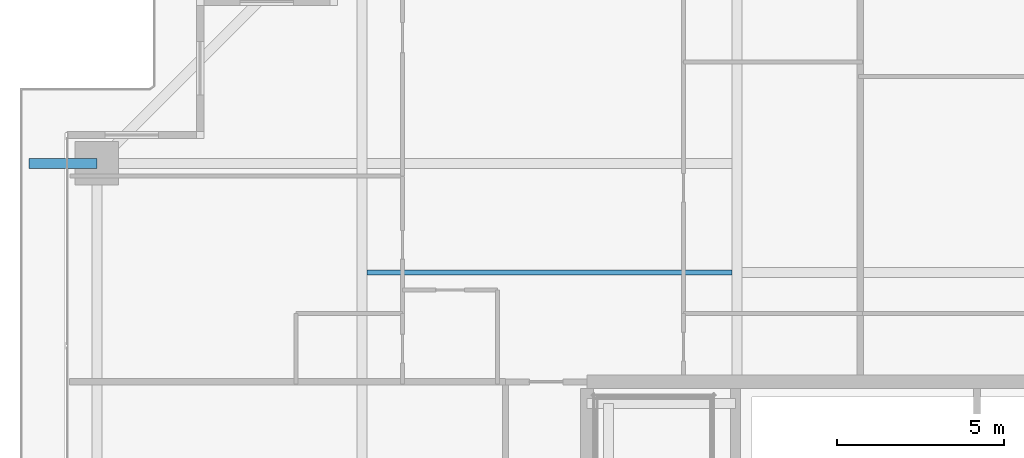
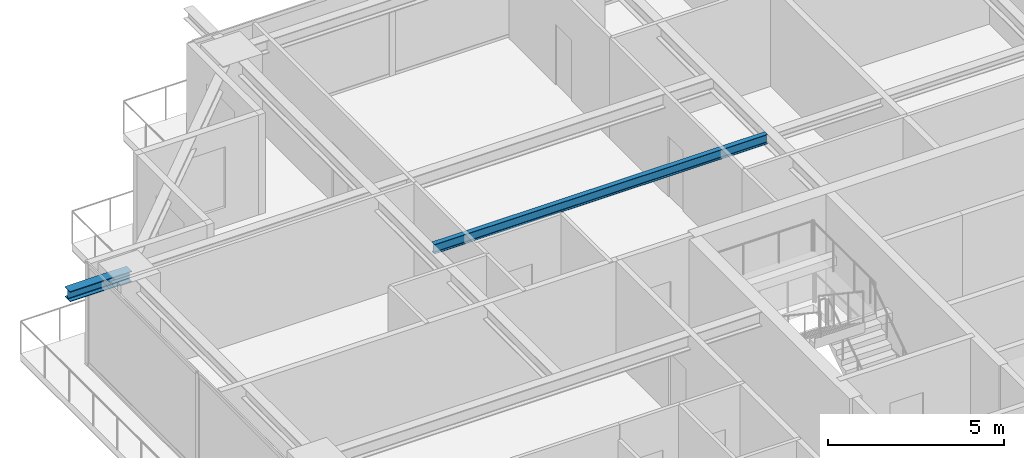
# One storey, part 18 of 37: 2 beams.
"""IFC4 building model written with IfcOpenShell, lengths in metres."""

import ifcopenshell
import ifcopenshell.guid

model = None  # the IFC model being written
_history = None  # IfcOwnerHistory: only IFC2X3 demands one
_inside = {}  # id of a spatial element -> (the spatial element, [elements in it])
_under = {}  # id of a project, library or spatial element -> (it, [spatial elements below it])
_declared = {}  # id of a project -> (the project, [libraries it declares])
_typed = {}  # id of a type object -> (the type object, [elements of that type])
_made_of = {}  # id of a material, layer set ... -> (it, [elements and type objects made of it])


def new_model(schema):
    """Start an empty IFC model of exactly this schema.

    Asked for "IFC4X3", IfcOpenShell would pick the latest addendum, in which some entities
    have other attributes; the version numbers below select the first issue.
    IFC2X3 requires an IfcOwnerHistory on every rooted entity: one is made here for all.
    """
    global model, _history
    if schema == "IFC4X3":
        model = ifcopenshell.file(schema_version=(4, 3, 0, 0))
    else:
        model = ifcopenshell.file(schema=schema)
    _inside.clear()
    _under.clear()
    _declared.clear()
    _typed.clear()
    _made_of.clear()
    _history = None
    if model.schema == "IFC2X3":
        org = make("IfcOrganization", Name="unknown")
        user = make(
            "IfcPersonAndOrganization",
            ThePerson=make("IfcPerson", FamilyName="unknown"),
            TheOrganization=org,
        )
        app = make(
            "IfcApplication",
            ApplicationDeveloper=org,
            Version="unknown",
            ApplicationFullName="unknown",
            ApplicationIdentifier="unknown",
        )
        _history = make(
            "IfcOwnerHistory",
            OwningUser=user,
            OwningApplication=app,
            ChangeAction="ADDED",
            CreationDate=0,
        )
    return model


def make(cls, **values):
    """One entity of the class cls with the attributes given. An attribute that is None is left unset."""
    return model.create_entity(
        cls, **{name: value for name, value in values.items() if value is not None}
    )


def rooted(cls, **values):
    """An entity with a GlobalId (a new one), such as an element, a storey or a relation."""
    return make(cls, GlobalId=ifcopenshell.guid.new(), OwnerHistory=_history, **values)


def si_unit(unit_type, name, prefix=None):
    """IfcSIUnit, for example si_unit("LENGTHUNIT", "METRE", prefix="MILLI")."""
    return make("IfcSIUnit", UnitType=unit_type, Prefix=prefix, Name=name)


def assignment(units):
    """IfcUnitAssignment: the units of a project."""
    return None if units is None else make("IfcUnitAssignment", Units=units)


def point(xyz):
    """IfcCartesianPoint."""
    return None if xyz is None else make("IfcCartesianPoint", Coordinates=xyz)


def direction(xyz):
    """IfcDirection."""
    return None if xyz is None else make("IfcDirection", DirectionRatios=xyz)


def frame(location, z_axis=None, x_axis=None):
    """IfcAxis2Placement3D, a coordinate frame: its origin and axes. An axis left out is left unset."""
    return make(
        "IfcAxis2Placement3D",
        Location=point(location),
        Axis=direction(z_axis),
        RefDirection=direction(x_axis),
    )


def frame_2d(location, x_axis=None):
    """IfcAxis2Placement2D, a coordinate frame in the plane: its origin and x axis."""
    return make(
        "IfcAxis2Placement2D", Location=point(location), RefDirection=direction(x_axis)
    )


def origin():
    """The frame at (0, 0, 0) with its axes left unset."""
    return frame((0.0, 0.0, 0.0))


def origin_2d():
    """The frame at (0, 0) in the plane with its x axis left unset."""
    return frame_2d((0.0, 0.0))


def place(relative_to, where):
    """IfcLocalPlacement: puts the frame where relative to a parent placement (None: the world)."""
    return make(
        "IfcLocalPlacement", PlacementRelTo=relative_to, RelativePlacement=where
    )


def context(
    kind, dimensions, precision=None, world=None, true_north=None, identifier=None
):
    """IfcGeometricRepresentationContext, for example the 3D "Model" context."""
    return make(
        "IfcGeometricRepresentationContext",
        ContextIdentifier=identifier,
        ContextType=kind,
        CoordinateSpaceDimension=dimensions,
        Precision=precision,
        WorldCoordinateSystem=world,
        TrueNorth=true_north,
    )


def subcontext(parent, identifier, kind, view, scale=None):
    """IfcGeometricRepresentationSubContext, for example "Body" below "Model"."""
    return make(
        "IfcGeometricRepresentationSubContext",
        ContextIdentifier=identifier,
        ContextType=kind,
        ParentContext=parent,
        TargetScale=scale,
        TargetView=view,
    )


def project(units=None, contexts=None):
    """IfcProject with its units and contexts."""
    return rooted(
        "IfcProject",
        Name="project",
        RepresentationContexts=contexts,
        UnitsInContext=assignment(units),
    )


def spatial(cls, under=None, at=None, **own):
    """A site, building, storey or space (cls), placed at a placement, below another one or the project."""
    s = rooted(cls, ObjectPlacement=at, **own)
    if under is not None:
        _under.setdefault(under.id(), (under, []))[1].append(s)
    return s


def profile(cls, at=None, kind="AREA", **sizes):
    """A parametric profile (cls). Its sizes go by their IFC names, for example OverallWidth=200.0."""
    return make(cls, ProfileType=kind, Position=at, **sizes)


def i_section(**sizes):
    """IfcIShapeProfileDef."""
    return profile("IfcIShapeProfileDef", **sizes)


def extrude(swept, where, along, depth):
    """IfcExtrudedAreaSolid: the profile swept, set in the frame where, extruded along a direction by depth."""
    return make(
        "IfcExtrudedAreaSolid",
        SweptArea=swept,
        Position=where,
        ExtrudedDirection=direction(along),
        Depth=depth,
    )


def shape(context_of_items, identifier, shape_type, items):
    """IfcShapeRepresentation: the items that make up one representation, for example the "Body"."""
    return make(
        "IfcShapeRepresentation",
        ContextOfItems=context_of_items,
        RepresentationIdentifier=identifier,
        RepresentationType=shape_type,
        Items=items,
    )


def source(mapping_origin, context_of_items, identifier, shape_type, items):
    """IfcRepresentationMap: a shape defined once, which mapped items show again and again."""
    return make(
        "IfcRepresentationMap",
        MappingOrigin=mapping_origin,
        MappedRepresentation=shape(context_of_items, identifier, shape_type, items),
    )


def transform(
    local_origin,
    x_axis=None,
    y_axis=None,
    z_axis=None,
    scale=None,
    scale2=None,
    scale3=None,
    uniform=True,
):
    """IfcCartesianTransformationOperator3D, or its non-uniform kind. x_axis, y_axis, z_axis: its Axis1, 2, 3."""
    if uniform:
        return make(
            "IfcCartesianTransformationOperator3D",
            Axis1=direction(x_axis),
            Axis2=direction(y_axis),
            LocalOrigin=point(local_origin),
            Scale=scale,
            Axis3=direction(z_axis),
        )
    return make(
        "IfcCartesianTransformationOperator3DnonUniform",
        Axis1=direction(x_axis),
        Axis2=direction(y_axis),
        LocalOrigin=point(local_origin),
        Scale=scale,
        Axis3=direction(z_axis),
        Scale2=scale2,
        Scale3=scale3,
    )


def mapped(mapping_source, mapping_target):
    """IfcMappedItem: shows the shape of a source again, moved by a transform."""
    return make(
        "IfcMappedItem", MappingSource=mapping_source, MappingTarget=mapping_target
    )


def material(Name=None, Category=None):
    """IfcMaterial."""
    return make("IfcMaterial", Name=Name, Category=Category)


def material_profile(
    of_material, cross_section, Name=None, Category=None, Priority=None
):
    """IfcMaterialProfile: a cross section and its material."""
    return make(
        "IfcMaterialProfile",
        Name=Name,
        Material=of_material,
        Profile=cross_section,
        Priority=Priority,
        Category=Category,
    )


def profile_set(profiles, Name=None, composite=None):
    """IfcMaterialProfileSet."""
    return make(
        "IfcMaterialProfileSet",
        Name=Name,
        MaterialProfiles=profiles,
        CompositeProfile=composite,
    )


def made_of(thing, what):
    """Note that an element or type object is made of a material, layer set ...; save() writes the relation."""
    if what is not None:
        _made_of.setdefault(what.id(), (what, []))[1].append(thing)
    return thing


def type_object(cls, material=None, **own):
    """A type object (cls), such as IfcWallType, which elements share."""
    return made_of(rooted(cls, **own), material)


def element(
    cls,
    number,
    at=None,
    inside=None,
    cuts=None,
    type_object=None,
    material=None,
    context=None,
    identifier="Body",
    shape_type=None,
    held_by="IfcProductDefinitionShape",
    body=None,
    shapes=None,
    **own,
):
    """One element of the class cls, such as IfcWall. Its Tag is "e" and its number.

    at: its placement. inside: the storey or other place that contains it. cuts: it is an
    opening in that element (IfcRelVoidsElement). A single representation is given by context,
    identifier, shape_type and body (its items); several are given by shapes. held_by: the class
    of the entity that holds the representations. save() writes the other relations.
    """
    e = rooted(cls, Tag="e%d" % number, ObjectPlacement=at, **own)
    if body is not None:
        shapes = [shape(context, identifier, shape_type, body)]
    if shapes is not None:
        e.Representation = make(held_by, Representations=shapes)
    if inside is not None:
        _inside.setdefault(inside.id(), (inside, []))[1].append(e)
    if cuts is not None:
        rooted(
            "IfcRelVoidsElement", RelatingBuildingElement=cuts, RelatedOpeningElement=e
        )
    if type_object is not None:
        _typed.setdefault(type_object.id(), (type_object, []))[1].append(e)
    return made_of(e, material)


def aggregate(whole, parts):
    """IfcRelAggregates: a whole, such as a stair, and the parts it consists of."""
    return rooted("IfcRelAggregates", RelatingObject=whole, RelatedObjects=parts)


def save(model, path):
    """Write the relations noted so far, then the file.

    IfcRelAggregates (storeys below a building ...), IfcRelContainedInSpatialStructure (elements
    in a storey), IfcRelDefinesByType, IfcRelAssociatesMaterial and IfcRelDeclares: one each for
    every whole, place, type object, material and project.
    """
    for whole, parts in _under.values():
        aggregate(whole, parts)
    for where, things in _inside.values():
        rooted(
            "IfcRelContainedInSpatialStructure",
            RelatedElements=things,
            RelatingStructure=where,
        )
    for kind, things in _typed.values():
        rooted("IfcRelDefinesByType", RelatedObjects=things, RelatingType=kind)
    for what, things in _made_of.values():
        rooted("IfcRelAssociatesMaterial", RelatedObjects=things, RelatingMaterial=what)
    for by, libraries in _declared.values():
        rooted("IfcRelDeclares", RelatingContext=by, RelatedDefinitions=libraries)
    model.write(path)


model = new_model("IFC4")

# Units and contexts
model_context = context("Model", 3, precision=1e-05, world=origin(), true_north=direction((0.0, 1.0)))
body_context = subcontext(model_context, "Body", "Model", "MODEL_VIEW")
ifc_project = project(units=[si_unit("LENGTHUNIT", "METRE"), si_unit("AREAUNIT", "SQUARE_METRE"), si_unit("VOLUMEUNIT", "CUBIC_METRE"), si_unit("PLANEANGLEUNIT", "RADIAN"), si_unit("MASSUNIT", "GRAM", prefix="KILO")], contexts=[model_context])

# Site, building, storey
site_placement = place(None, origin())
site = spatial("IfcSite", under=ifc_project, at=site_placement, CompositionType="ELEMENT")
building_placement = place(site_placement, origin())
building = spatial("IfcBuilding", under=site, at=building_placement, Name="Serunith Strait Residences", CompositionType="ELEMENT")
storey_placement = place(building_placement, frame((0.0, 0.0, 161.39990234375)))
storey = spatial("IfcBuildingStorey", under=building, at=storey_placement, Name="L40", CompositionType="ELEMENT", Elevation=161.39990234375)

# Beams
ifc_material = material(Name="Steel S355J2", Category="steel")
ifc_material_profile_1 = material_profile(ifc_material, i_section(OverallWidth=0.300048828125, OverallDepth=0.360107421875, WebThickness=0.012451171875, FlangeThickness=0.0224609375, FilletRadius=0.027099609375, at=origin_2d()), Name="HEB 360")
ifc_profile_set_1 = profile_set([ifc_material_profile_1], Name="Steel S355J2")
beam_type_1 = type_object("IfcBeamType", Name="BM-HEB360", PredefinedType="BEAM", material=ifc_profile_set_1)
shared_shape_1 = source(origin(), body_context, "Body", "SweptSolid", [
    extrude(i_section(OverallWidth=0.300048828125, OverallDepth=0.360107421875, WebThickness=0.012451171875, FlangeThickness=0.0224609375, FilletRadius=0.027099609375, at=origin_2d()), origin(), (0.0, 0.0, 1.0), 2.030029296875),
])
beam_1_placement = place(storey_placement, frame((8.699951171875, 40.14990234375, 3.277099609375), z_axis=(-1.0, 0.0, 0.0), x_axis=(0.0, -1.0, 0.0)))
element("IfcBeam", 1, at=beam_1_placement, inside=storey, type_object=beam_type_1, Name="L41 Cantilevered Balcony Rib TC-W4", PredefinedType="BEAM", context=body_context, shape_type="MappedRepresentation", body=[
    mapped(shared_shape_1, transform((0.0, 0.0, 0.0), scale=1.0)),
])
ifc_material_profile_2 = material_profile(ifc_material, i_section(OverallWidth=0.159912109375, OverallDepth=0.330078125, WebThickness=0.007568359375, FlangeThickness=0.011474609375, FilletRadius=0.01806640625, at=origin_2d()), Name="IPE 330")
ifc_profile_set_2 = profile_set([ifc_material_profile_2], Name="Steel S355J2")
beam_type_2 = type_object("IfcBeamType", Name="BM-IPE330", PredefinedType="JOIST", material=ifc_profile_set_2)
shared_shape_2 = source(origin(), body_context, "Body", "SweptSolid", [
    extrude(i_section(OverallWidth=0.159912109375, OverallDepth=0.330078125, WebThickness=0.007568359375, FlangeThickness=0.011474609375, FilletRadius=0.01806640625, at=origin_2d()), origin(), (0.0, 0.0, 1.0), 10.949951171875),
])
beam_2_placement = place(storey_placement, frame((16.800048828125, 36.875, 3.322021484375), z_axis=(1.0, 0.0, 0.0), x_axis=(0.0, 1.0, 0.0)))
element("IfcBeam", 2, at=beam_2_placement, inside=storey, type_object=beam_type_2, Name="L40 Composite Floor Joist 04", PredefinedType="JOIST", context=body_context, shape_type="MappedRepresentation", body=[
    mapped(shared_shape_2, transform((0.0, 0.0, 0.0), scale=1.0)),
])

save(model, "model.ifc")
